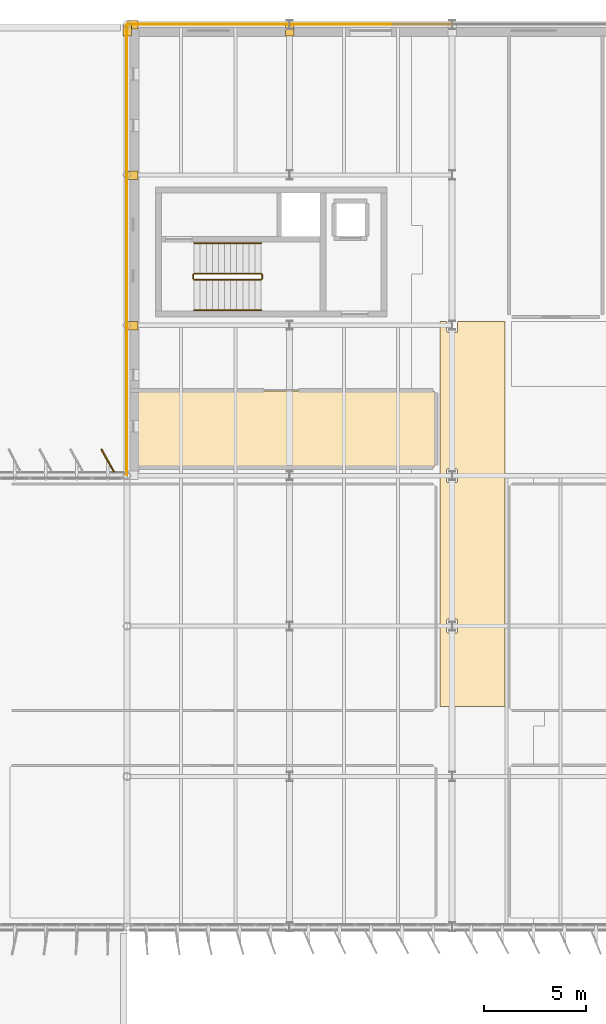
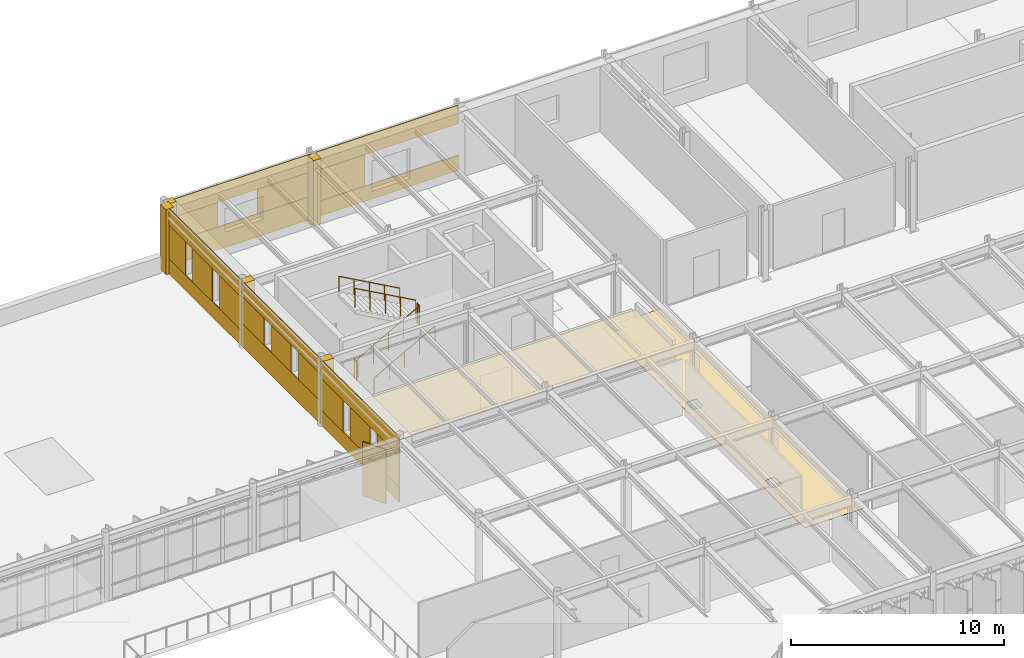
# One storey, part 52 of 56: 30 coverings, 6 railings.
"""IFC4 building model written with IfcOpenShell, lengths in metres."""

from ifc_helpers import new_model, si_unit, direction, frame, frame_2d, origin, origin_2d, place, context, subcontext, project, spatial, polyline, rectangle, circle, outline, extrude, material, layer, layer_set, type_object, element, save


model = new_model("IFC4")

# Units and contexts
model_context = context("Model", 3, precision=1e-05, world=origin(), true_north=direction((0.0, 1.0)))
body_context = subcontext(model_context, "Body", "Model", "MODEL_VIEW")
ifc_project = project(units=[si_unit("LENGTHUNIT", "METRE"), si_unit("AREAUNIT", "SQUARE_METRE"), si_unit("VOLUMEUNIT", "CUBIC_METRE"), si_unit("PLANEANGLEUNIT", "RADIAN"), si_unit("MASSUNIT", "GRAM", prefix="KILO")], contexts=[model_context])

# Site, building, storey
site_placement = place(None, origin())
site = spatial("IfcSite", under=ifc_project, at=site_placement, CompositionType="ELEMENT")
building_placement = place(site_placement, origin())
building = spatial("IfcBuilding", under=site, at=building_placement, Name="Valkorina Park Police Headquarters", CompositionType="ELEMENT")
storey_placement = place(building_placement, frame((0.0, 0.0, 14.10009765625)))
storey = spatial("IfcBuildingStorey", under=building, at=storey_placement, Name="L04", CompositionType="ELEMENT", Elevation=14.10009765625)

# Coverings
ifc_material_1 = material(Name="Acoustic mineral board")
ifc_layer_1 = layer(ifc_material_1, 0.02490234375)
ifc_layer_set_1 = layer_set([ifc_layer_1], Name="Acoustic mineral board")
covering_type_1 = type_object("IfcCoveringType", Name="COV-CEILING-ACOUST", PredefinedType="CEILING", material=ifc_layer_set_1)
covering_1_placement = place(storey_placement, frame((0.0, 0.0, 3.224853515625)))
element("IfcCovering", 1, at=covering_1_placement, inside=storey, type_object=covering_type_1, Name="112 Dispatch Raised-Floor Technical Plenum Acoustic Suspended Ceiling", PredefinedType="CEILING", context=body_context, shape_type="SweptSolid", body=[
    extrude(outline(polyline([(95.95849609375, 59.704345703125), (95.959716796875, 59.712158203125), (95.9599609375, 59.719970703125), (95.9599609375, 63.280029296875), (95.959716796875, 63.287841796875), (95.95849609375, 63.295654296875), (95.95654296875, 63.30322265625), (95.953857421875, 63.310546875), (95.95068359375, 63.317626953125), (95.946533203125, 63.324462890625), (95.94189453125, 63.330810546875), (95.9365234375, 63.336669921875), (95.930908203125, 63.341796875), (95.92431640625, 63.346435546875), (95.917724609375, 63.3505859375), (95.91064453125, 63.35400390625), (95.9033203125, 63.356689453125), (95.8955078125, 63.3583984375), (95.8876953125, 63.359619140625), (95.8798828125, 63.360107421875), (81.1201171875, 63.360107421875), (81.1123046875, 63.359619140625), (81.1044921875, 63.3583984375), (81.0966796875, 63.356689453125), (81.08935546875, 63.35400390625), (81.082275390625, 63.3505859375), (81.07568359375, 63.346435546875), (81.069091796875, 63.341796875), (81.0634765625, 63.336669921875), (81.05810546875, 63.330810546875), (81.053466796875, 63.324462890625), (81.04931640625, 63.317626953125), (81.046142578125, 63.310546875), (81.04345703125, 63.30322265625), (81.04150390625, 63.295654296875), (81.040283203125, 63.287841796875), (81.0400390625, 63.280029296875), (81.0400390625, 59.719970703125), (81.040283203125, 59.712158203125), (81.04150390625, 59.704345703125), (81.04345703125, 59.69677734375), (81.046142578125, 59.689453125), (81.04931640625, 59.682373046875), (81.053466796875, 59.675537109375), (81.05810546875, 59.669189453125), (81.0634765625, 59.663330078125), (81.069091796875, 59.658203125), (81.07568359375, 59.653564453125), (81.082275390625, 59.6494140625), (81.08935546875, 59.64599609375), (81.0966796875, 59.643310546875), (81.1044921875, 59.6416015625), (81.1123046875, 59.640380859375), (81.1201171875, 59.639892578125), (95.8798828125, 59.639892578125), (95.8876953125, 59.640380859375), (95.8955078125, 59.6416015625), (95.9033203125, 59.643310546875), (95.91064453125, 59.64599609375), (95.917724609375, 59.6494140625), (95.92431640625, 59.653564453125), (95.930908203125, 59.658203125), (95.9365234375, 59.663330078125), (95.94189453125, 59.669189453125), (95.946533203125, 59.675537109375), (95.95068359375, 59.682373046875), (95.953857421875, 59.689453125), (95.95654296875, 59.69677734375), (95.95849609375, 59.704345703125)])), origin(), (0.0, 0.0, 1.0), 0.025146484375),
])
ifc_material_2 = material(Name="Precast concrete C40/50", Category="concrete")
ifc_layer_2 = layer(ifc_material_2, 0.044921875)
ifc_layer_set_2 = layer_set([ifc_layer_2], Name="Precast concrete C40/50")
covering_type_2 = type_object("IfcCoveringType", Name="COV-CLAD-DOLOMITE", PredefinedType="CLADDING", material=ifc_layer_set_2)
covering_2_placement = place(storey_placement, frame((81.090087890625, 66.582275390625, 0.0), z_axis=(0.0, 0.0, 1.0), x_axis=(0.0, 1.0, 0.0)))
element("IfcCovering", 2, at=covering_2_placement, inside=storey, type_object=covering_type_2, Name="L04 Exterior Joint Closure Pilaster B 2228", PredefinedType="CLADDING", context=body_context, shape_type="SweptSolid", body=[
    extrude(rectangle(XDim=0.419921875, YDim=0.52197265625, at=origin_2d()), origin(), (0.0, 0.0, 1.0), 3.739990234375),
])
covering_3_placement = place(storey_placement, frame((80.784912109375, 59.219970703125, 0.0), z_axis=(0.0, 0.0, 1.0), x_axis=(0.0, 1.0, 0.0)))
element("IfcCovering", 3, at=covering_3_placement, inside=storey, type_object=covering_type_2, Name="L04 Calm Concrete Base Sill Spandrel 2229", PredefinedType="CLADDING", context=body_context, shape_type="SweptSolid", body=[
    extrude(rectangle(XDim=7.360107421875, YDim=0.044921875, at=frame_2d((3.68017578125, 0.0))), origin(), (0.0, 0.0, 1.0), 0.869873046875),
])
covering_4_placement = place(storey_placement, frame((80.784912109375, 59.219970703125, 2.679931640625), z_axis=(0.0, 0.0, 1.0), x_axis=(0.0, 1.0, 0.0)))
element("IfcCovering", 4, at=covering_4_placement, inside=storey, type_object=covering_type_2, Name="L04 Calm Concrete Base Lintel Spandrel 2230", PredefinedType="CLADDING", context=body_context, shape_type="SweptSolid", body=[
    extrude(rectangle(XDim=7.360107421875, YDim=0.044921875, at=frame_2d((3.68017578125, 0.0))), origin(), (0.0, 0.0, 1.0), 1.06005859375),
])
covering_5_placement = place(storey_placement, frame((80.784912109375, 59.219970703125, 0.869873046875), z_axis=(0.0, 0.0, 1.0), x_axis=(0.0, 1.0, 0.0)))
element("IfcCovering", 5, at=covering_5_placement, inside=storey, type_object=covering_type_2, Name="L04 Calm Concrete Base Slot Pier 2231", PredefinedType="CLADDING", context=body_context, shape_type="SweptSolid", body=[
    extrude(rectangle(XDim=2.090576171875, YDim=0.044921875, at=frame_2d((1.04541015625, 0.0))), origin(), (0.0, 0.0, 1.0), 1.81005859375),
])
covering_6_placement = place(storey_placement, frame((80.784912109375, 61.960693359375, 0.869873046875), z_axis=(0.0, 0.0, 1.0), x_axis=(0.0, 1.0, 0.0)))
element("IfcCovering", 6, at=covering_6_placement, inside=storey, type_object=covering_type_2, Name="L04 Calm Concrete Base Slot Pier 2232", PredefinedType="CLADDING", context=body_context, shape_type="SweptSolid", body=[
    extrude(rectangle(XDim=1.878662109375, YDim=0.044921875, at=frame_2d((0.939453125, 0.0))), origin(), (0.0, 0.0, 1.0), 1.81005859375),
])
covering_7_placement = place(storey_placement, frame((80.784912109375, 64.489501953125, 0.869873046875), z_axis=(0.0, 0.0, 1.0), x_axis=(0.0, 1.0, 0.0)))
element("IfcCovering", 7, at=covering_7_placement, inside=storey, type_object=covering_type_2, Name="L04 Calm Concrete Base Slot Pier 2233", PredefinedType="CLADDING", context=body_context, shape_type="SweptSolid", body=[
    extrude(rectangle(XDim=2.090576171875, YDim=0.044921875, at=frame_2d((1.04541015625, 0.0))), origin(), (0.0, 0.0, 1.0), 1.81005859375),
])
covering_8_placement = place(storey_placement, frame((81.090087890625, 73.982177734375, 0.0), z_axis=(0.0, 0.0, 1.0), x_axis=(0.0, 1.0, 0.0)))
element("IfcCovering", 8, at=covering_8_placement, inside=storey, type_object=covering_type_2, Name="L04 Exterior Joint Closure Pilaster B 2234", PredefinedType="CLADDING", context=body_context, shape_type="SweptSolid", body=[
    extrude(rectangle(XDim=0.419921875, YDim=0.52197265625, at=origin_2d()), origin(), (0.0, 0.0, 1.0), 3.739990234375),
])
covering_9_placement = place(storey_placement, frame((80.784912109375, 66.6201171875, 0.0), z_axis=(0.0, 0.0, 1.0), x_axis=(0.0, 1.0, 0.0)))
element("IfcCovering", 9, at=covering_9_placement, inside=storey, type_object=covering_type_2, Name="L04 Calm Concrete Base Sill Spandrel 2235", PredefinedType="CLADDING", context=body_context, shape_type="SweptSolid", body=[
    extrude(rectangle(XDim=7.35986328125, YDim=0.044921875, at=frame_2d((3.679931640625, 0.0))), origin(), (0.0, 0.0, 1.0), 1.31982421875),
])
covering_10_placement = place(storey_placement, frame((80.784912109375, 66.6201171875, 2.8798828125), z_axis=(0.0, 0.0, 1.0), x_axis=(0.0, 1.0, 0.0)))
element("IfcCovering", 10, at=covering_10_placement, inside=storey, type_object=covering_type_2, Name="L04 Calm Concrete Base Lintel Spandrel 2236", PredefinedType="CLADDING", context=body_context, shape_type="SweptSolid", body=[
    extrude(rectangle(XDim=7.35986328125, YDim=0.044921875, at=frame_2d((3.679931640625, 0.0))), origin(), (0.0, 0.0, 1.0), 0.860107421875),
])
covering_11_placement = place(storey_placement, frame((80.784912109375, 66.6201171875, 1.31982421875), z_axis=(0.0, 0.0, 1.0), x_axis=(0.0, 1.0, 0.0)))
element("IfcCovering", 11, at=covering_11_placement, inside=storey, type_object=covering_type_2, Name="L04 Calm Concrete Base Slot Pier 2237", PredefinedType="CLADDING", context=body_context, shape_type="SweptSolid", body=[
    extrude(rectangle(XDim=2.0654296875, YDim=0.044921875, at=frame_2d((1.03271484375, 0.0))), origin(), (0.0, 0.0, 1.0), 1.56005859375),
])
covering_12_placement = place(storey_placement, frame((80.784912109375, 69.385498046875, 1.31982421875), z_axis=(0.0, 0.0, 1.0), x_axis=(0.0, 1.0, 0.0)))
element("IfcCovering", 12, at=covering_12_placement, inside=storey, type_object=covering_type_2, Name="L04 Calm Concrete Base Slot Pier 2238", PredefinedType="CLADDING", context=body_context, shape_type="SweptSolid", body=[
    extrude(rectangle(XDim=1.828857421875, YDim=0.044921875, at=frame_2d((0.91455078125, 0.0))), origin(), (0.0, 0.0, 1.0), 1.56005859375),
])
covering_13_placement = place(storey_placement, frame((80.784912109375, 71.914306640625, 1.31982421875), z_axis=(0.0, 0.0, 1.0), x_axis=(0.0, 1.0, 0.0)))
element("IfcCovering", 13, at=covering_13_placement, inside=storey, type_object=covering_type_2, Name="L04 Calm Concrete Base Slot Pier 2239", PredefinedType="CLADDING", context=body_context, shape_type="SweptSolid", body=[
    extrude(rectangle(XDim=2.065673828125, YDim=0.044921875, at=frame_2d((1.03271484375, 0.0))), origin(), (0.0, 0.0, 1.0), 1.56005859375),
])
covering_14_placement = place(storey_placement, frame((81.090087890625, 81.382080078125, 0.0), z_axis=(0.0, 0.0, 1.0), x_axis=(0.0, 1.0, 0.0)))
element("IfcCovering", 14, at=covering_14_placement, inside=storey, type_object=covering_type_2, Name="L04 Exterior Joint Closure Pilaster B 2240", PredefinedType="CLADDING", context=body_context, shape_type="SweptSolid", body=[
    extrude(rectangle(XDim=0.419921875, YDim=0.52197265625, at=origin_2d()), origin(), (0.0, 0.0, 1.0), 3.739990234375),
])
covering_15_placement = place(storey_placement, frame((80.784912109375, 74.02001953125, 0.0), z_axis=(0.0, 0.0, 1.0), x_axis=(0.0, 1.0, 0.0)))
element("IfcCovering", 15, at=covering_15_placement, inside=storey, type_object=covering_type_2, Name="L04 Calm Concrete Base Sill Spandrel 2241", PredefinedType="CLADDING", context=body_context, shape_type="SweptSolid", body=[
    extrude(rectangle(XDim=7.35986328125, YDim=0.044921875, at=frame_2d((3.679931640625, 0.0))), origin(), (0.0, 0.0, 1.0), 0.869873046875),
])
covering_16_placement = place(storey_placement, frame((80.784912109375, 74.02001953125, 2.77978515625), z_axis=(0.0, 0.0, 1.0), x_axis=(0.0, 1.0, 0.0)))
element("IfcCovering", 16, at=covering_16_placement, inside=storey, type_object=covering_type_2, Name="L04 Calm Concrete Base Lintel Spandrel 2242", PredefinedType="CLADDING", context=body_context, shape_type="SweptSolid", body=[
    extrude(rectangle(XDim=7.35986328125, YDim=0.044921875, at=frame_2d((3.679931640625, 0.0))), origin(), (0.0, 0.0, 1.0), 0.960205078125),
])
covering_17_placement = place(storey_placement, frame((80.784912109375, 74.02001953125, 0.869873046875), z_axis=(0.0, 0.0, 1.0), x_axis=(0.0, 1.0, 0.0)))
element("IfcCovering", 17, at=covering_17_placement, inside=storey, type_object=covering_type_2, Name="L04 Calm Concrete Base Slot Pier 2243", PredefinedType="CLADDING", context=body_context, shape_type="SweptSolid", body=[
    extrude(rectangle(XDim=2.065673828125, YDim=0.044921875, at=frame_2d((1.03271484375, 0.0))), origin(), (0.0, 0.0, 1.0), 1.909912109375),
])
covering_18_placement = place(storey_placement, frame((80.784912109375, 76.78564453125, 0.869873046875), z_axis=(0.0, 0.0, 1.0), x_axis=(0.0, 1.0, 0.0)))
element("IfcCovering", 18, at=covering_18_placement, inside=storey, type_object=covering_type_2, Name="L04 Calm Concrete Base Slot Pier 2244", PredefinedType="CLADDING", context=body_context, shape_type="SweptSolid", body=[
    extrude(rectangle(XDim=1.828857421875, YDim=0.044921875, at=frame_2d((0.91455078125, 0.0))), origin(), (0.0, 0.0, 1.0), 1.909912109375),
])
covering_19_placement = place(storey_placement, frame((80.784912109375, 79.314453125, 0.869873046875), z_axis=(0.0, 0.0, 1.0), x_axis=(0.0, 1.0, 0.0)))
element("IfcCovering", 19, at=covering_19_placement, inside=storey, type_object=covering_type_2, Name="L04 Calm Concrete Base Slot Pier 2245", PredefinedType="CLADDING", context=body_context, shape_type="SweptSolid", body=[
    extrude(rectangle(XDim=2.0654296875, YDim=0.044921875, at=frame_2d((1.03271484375, 0.0))), origin(), (0.0, 0.0, 1.0), 1.909912109375),
])
for number, where, z_axis, x_axis, name in (
    (20, (80.81787109375, 81.110107421875, 0.0), (0.0, 0.0, 1.0), (1.0, 0.0, 0.0), "L04 Exterior Joint Closure Pilaster A 2246"),
    (21, (88.81005859375, 81.110107421875, 0.0), (0.0, 0.0, 1.0), (1.0, 0.0, 0.0), "L04 Exterior Joint Closure Pilaster B 2247"),
):
    element("IfcCovering", number, at=place(storey_placement, frame(where, z_axis=z_axis, x_axis=x_axis)), inside=storey, type_object=covering_type_2, Name=name, PredefinedType="CLADDING", context=body_context, shape_type="SweptSolid", body=[
        extrude(rectangle(XDim=0.419921875, YDim=0.52197265625, at=origin_2d()), origin(), (0.0, 0.0, 1.0), 3.739990234375),
    ])
covering_20_placement = place(storey_placement, frame((80.820068359375, 81.4150390625, 0.0), z_axis=(0.0, 0.0, 1.0), x_axis=(1.0, 0.0, 0.0)))
element("IfcCovering", 22, at=covering_20_placement, inside=storey, type_object=covering_type_2, Name="L04 Calm Concrete Base Sill Spandrel 2248", PredefinedType="CLADDING", context=body_context, shape_type="SweptSolid", body=[
    extrude(rectangle(XDim=7.9599609375, YDim=0.044921875, at=frame_2d((3.97998046875, 0.0))), origin(), (0.0, 0.0, 1.0), 1.31982421875),
])
covering_21_placement = place(storey_placement, frame((80.820068359375, 81.4150390625, 2.72998046875), z_axis=(0.0, 0.0, 1.0), x_axis=(1.0, 0.0, 0.0)))
element("IfcCovering", 23, at=covering_21_placement, inside=storey, type_object=covering_type_2, Name="L04 Calm Concrete Base Lintel Spandrel 2249", PredefinedType="CLADDING", context=body_context, shape_type="SweptSolid", body=[
    extrude(rectangle(XDim=7.9599609375, YDim=0.044921875, at=frame_2d((3.97998046875, 0.0))), origin(), (0.0, 0.0, 1.0), 1.010009765625),
])
covering_22_placement = place(storey_placement, frame((80.820068359375, 81.4150390625, 1.31982421875), z_axis=(0.0, 0.0, 1.0), x_axis=(1.0, 0.0, 0.0)))
element("IfcCovering", 24, at=covering_22_placement, inside=storey, type_object=covering_type_2, Name="L04 Calm Concrete Base Slot Pier 2250", PredefinedType="CLADDING", context=body_context, shape_type="SweptSolid", body=[
    extrude(rectangle(XDim=2.9189453125, YDim=0.044921875, at=frame_2d((1.45947265625, 0.0))), origin(), (0.0, 0.0, 1.0), 1.41015625),
])
covering_23_placement = place(storey_placement, frame((85.888916015625, 81.4150390625, 1.31982421875), z_axis=(0.0, 0.0, 1.0), x_axis=(1.0, 0.0, 0.0)))
element("IfcCovering", 25, at=covering_23_placement, inside=storey, type_object=covering_type_2, Name="L04 Calm Concrete Base Slot Pier 2251", PredefinedType="CLADDING", context=body_context, shape_type="SweptSolid", body=[
    extrude(rectangle(XDim=2.89111328125, YDim=0.044921875, at=frame_2d((1.445556640625, 0.0))), origin(), (0.0, 0.0, 1.0), 1.41015625),
])
covering_24_placement = place(storey_placement, frame((88.820068359375, 81.4150390625, 0.0), z_axis=(0.0, 0.0, 1.0), x_axis=(1.0, 0.0, 0.0)))
element("IfcCovering", 26, at=covering_24_placement, inside=storey, type_object=covering_type_2, Name="L04 Calm Concrete Base Sill Spandrel 2253", PredefinedType="CLADDING", context=body_context, shape_type="SweptSolid", body=[
    extrude(rectangle(XDim=7.9599609375, YDim=0.044921875, at=frame_2d((3.97998046875, 0.0))), origin(), (0.0, 0.0, 1.0), 0.869873046875),
])
covering_25_placement = place(storey_placement, frame((88.820068359375, 81.4150390625, 2.679931640625), z_axis=(0.0, 0.0, 1.0), x_axis=(1.0, 0.0, 0.0)))
element("IfcCovering", 27, at=covering_25_placement, inside=storey, type_object=covering_type_2, Name="L04 Calm Concrete Base Lintel Spandrel 2254", PredefinedType="CLADDING", context=body_context, shape_type="SweptSolid", body=[
    extrude(rectangle(XDim=7.9599609375, YDim=0.044921875, at=frame_2d((3.97998046875, 0.0))), origin(), (0.0, 0.0, 1.0), 1.06005859375),
])
covering_26_placement = place(storey_placement, frame((88.820068359375, 81.4150390625, 0.869873046875), z_axis=(0.0, 0.0, 1.0), x_axis=(1.0, 0.0, 0.0)))
element("IfcCovering", 28, at=covering_26_placement, inside=storey, type_object=covering_type_2, Name="L04 Calm Concrete Base Slot Pier 2255", PredefinedType="CLADDING", context=body_context, shape_type="SweptSolid", body=[
    extrude(rectangle(XDim=2.905029296875, YDim=0.044921875, at=frame_2d((1.45263671875, 0.0))), origin(), (0.0, 0.0, 1.0), 1.81005859375),
])
ifc_material_3 = material(Name="Resin terrazzo flooring")
ifc_layer_3 = layer(ifc_material_3, 0.030029296875)
ifc_layer_set_3 = layer_set([ifc_layer_3], Name="Resin terrazzo flooring")
covering_type_3 = type_object("IfcCoveringType", Name="COV-FLOOR-TERRAZZO", PredefinedType="FLOORING", material=ifc_layer_set_3)
covering_27_placement = place(storey_placement, origin())
element("IfcCovering", 29, at=covering_27_placement, inside=storey, type_object=covering_type_3, Name="L04 East Instrument Link Corridor Terrazzo Flooring", PredefinedType="FLOORING", context=body_context, shape_type="SweptSolid", body=[
    extrude(outline(polyline([(96.530029296875, 66.800048828125), (96.199951171875, 66.800048828125), (96.199951171875, 47.85009765625), (99.39990234375, 47.85009765625), (99.39990234375, 66.800048828125), (97.070068359375, 66.800048828125), (97.070068359375, 66.3349609375), (97.069580078125, 66.3271484375), (97.068603515625, 66.3193359375), (97.066650390625, 66.311767578125), (97.06396484375, 66.304443359375), (97.060546875, 66.29736328125), (97.056396484375, 66.29052734375), (97.0517578125, 66.2841796875), (97.046630859375, 66.2783203125), (97.040771484375, 66.273193359375), (97.034423828125, 66.2685546875), (97.027587890625, 66.264404296875), (97.0205078125, 66.260986328125), (97.01318359375, 66.25830078125), (97.005615234375, 66.256591796875), (96.997802734375, 66.25537109375), (96.989990234375, 66.2548828125), (96.610107421875, 66.2548828125), (96.602294921875, 66.25537109375), (96.594482421875, 66.256591796875), (96.5869140625, 66.25830078125), (96.579345703125, 66.260986328125), (96.572265625, 66.264404296875), (96.565673828125, 66.2685546875), (96.55908203125, 66.273193359375), (96.553466796875, 66.2783203125), (96.548095703125, 66.2841796875), (96.54345703125, 66.29052734375), (96.539306640625, 66.29736328125), (96.5361328125, 66.304443359375), (96.533447265625, 66.311767578125), (96.531494140625, 66.3193359375), (96.530517578125, 66.3271484375), (96.530029296875, 66.3349609375), (96.530029296875, 66.800048828125)]), holes=[polyline([(96.530029296875, 59.465087890625), (96.530517578125, 59.472900390625), (96.531494140625, 59.480712890625), (96.533447265625, 59.48828125), (96.5361328125, 59.49560546875), (96.539306640625, 59.502685546875), (96.54345703125, 59.509521484375), (96.548095703125, 59.515869140625), (96.553466796875, 59.521484375), (96.55908203125, 59.52685546875), (96.565673828125, 59.531494140625), (96.572265625, 59.53564453125), (96.579345703125, 59.538818359375), (96.5869140625, 59.54150390625), (96.594482421875, 59.54345703125), (96.602294921875, 59.544677734375), (96.610107421875, 59.544921875), (96.989990234375, 59.544921875), (96.997802734375, 59.544677734375), (97.005615234375, 59.54345703125), (97.01318359375, 59.54150390625), (97.0205078125, 59.538818359375), (97.027587890625, 59.53564453125), (97.034423828125, 59.531494140625), (97.040771484375, 59.52685546875), (97.046630859375, 59.521484375), (97.0517578125, 59.515869140625), (97.056396484375, 59.509521484375), (97.060546875, 59.502685546875), (97.06396484375, 59.49560546875), (97.066650390625, 59.48828125), (97.068603515625, 59.480712890625), (97.069580078125, 59.472900390625), (97.070068359375, 59.465087890625), (97.070068359375, 58.93505859375), (97.069580078125, 58.92724609375), (97.068603515625, 58.91943359375), (97.066650390625, 58.911865234375), (97.06396484375, 58.904296875), (97.060546875, 58.897216796875), (97.056396484375, 58.890625), (97.0517578125, 58.88427734375), (97.046630859375, 58.87841796875), (97.040771484375, 58.873291015625), (97.034423828125, 58.868408203125), (97.027587890625, 58.864501953125), (97.0205078125, 58.861083984375), (97.01318359375, 58.8583984375), (97.005615234375, 58.8564453125), (96.997802734375, 58.85546875), (96.989990234375, 58.85498046875), (96.610107421875, 58.85498046875), (96.602294921875, 58.85546875), (96.594482421875, 58.8564453125), (96.5869140625, 58.8583984375), (96.579345703125, 58.861083984375), (96.572265625, 58.864501953125), (96.565673828125, 58.868408203125), (96.55908203125, 58.873291015625), (96.553466796875, 58.87841796875), (96.548095703125, 58.88427734375), (96.54345703125, 58.890625), (96.539306640625, 58.897216796875), (96.5361328125, 58.904296875), (96.533447265625, 58.911865234375), (96.531494140625, 58.91943359375), (96.530517578125, 58.92724609375), (96.530029296875, 58.93505859375), (96.530029296875, 59.465087890625)]), polyline([(96.989990234375, 52.14501953125), (96.997802734375, 52.14453125), (97.005615234375, 52.1435546875), (97.01318359375, 52.1416015625), (97.0205078125, 52.138916015625), (97.027587890625, 52.135498046875), (97.034423828125, 52.131591796875), (97.040771484375, 52.126708984375), (97.046630859375, 52.12158203125), (97.0517578125, 52.11572265625), (97.056396484375, 52.109375), (97.060546875, 52.102783203125), (97.06396484375, 52.095703125), (97.066650390625, 52.088134765625), (97.068603515625, 52.08056640625), (97.069580078125, 52.07275390625), (97.070068359375, 52.06494140625), (97.070068359375, 51.534912109375), (97.069580078125, 51.527099609375), (97.068603515625, 51.519287109375), (97.066650390625, 51.51171875), (97.06396484375, 51.50439453125), (97.060546875, 51.497314453125), (97.056396484375, 51.490478515625), (97.0517578125, 51.484130859375), (97.046630859375, 51.478515625), (97.040771484375, 51.47314453125), (97.034423828125, 51.468505859375), (97.027587890625, 51.46435546875), (97.0205078125, 51.461181640625), (97.01318359375, 51.45849609375), (97.005615234375, 51.45654296875), (96.997802734375, 51.455322265625), (96.989990234375, 51.455078125), (96.610107421875, 51.455078125), (96.602294921875, 51.455322265625), (96.594482421875, 51.45654296875), (96.5869140625, 51.45849609375), (96.579345703125, 51.461181640625), (96.572265625, 51.46435546875), (96.565673828125, 51.468505859375), (96.55908203125, 51.47314453125), (96.553466796875, 51.478515625), (96.548095703125, 51.484130859375), (96.54345703125, 51.490478515625), (96.539306640625, 51.497314453125), (96.5361328125, 51.50439453125), (96.533447265625, 51.51171875), (96.531494140625, 51.519287109375), (96.530517578125, 51.527099609375), (96.530029296875, 51.534912109375), (96.530029296875, 52.06494140625), (96.530517578125, 52.07275390625), (96.531494140625, 52.08056640625), (96.533447265625, 52.088134765625), (96.5361328125, 52.095703125), (96.539306640625, 52.102783203125), (96.54345703125, 52.109375), (96.548095703125, 52.11572265625), (96.553466796875, 52.12158203125), (96.55908203125, 52.126708984375), (96.565673828125, 52.131591796875), (96.572265625, 52.135498046875), (96.579345703125, 52.138916015625), (96.5869140625, 52.1416015625), (96.594482421875, 52.1435546875), (96.602294921875, 52.14453125), (96.610107421875, 52.14501953125), (96.989990234375, 52.14501953125)])]), origin(), (0.0, 0.0, 1.0), 0.02978515625),
])

# Railings
ifc_material_4 = material(Name="Stainless steel EN 1.4404", Category="steel")
railing_type_1 = type_object("IfcRailingType", Name="RL-GUARD-INT-1100", PredefinedType="BALUSTRADE", material=ifc_material_4)
railing_1_placement = place(storey_placement, frame((84.10009765625, 68.85009765625, 0.16650390625)))
element("IfcRailing", 30, at=railing_1_placement, inside=storey, type_object=railing_type_1, Name="L04 Core C6 Stair Guard 1", PredefinedType="BALUSTRADE", context=body_context, shape_type="SweptSolid", body=[
    extrude(circle(Radius=0.02392578125, at=origin_2d()), frame((0.0, 0.0, 1.09619140625), z_axis=(0.874126768038, 0.0, 0.485697841667), x_axis=(0.0, 1.0, 0.0)), (0.0, 0.0, 1.0), 3.77490234375),
    extrude(circle(Radius=0.02099609375, at=origin_2d()), origin(), (0.0, 0.0, 1.0), 1.072021484375),
    extrude(circle(Radius=0.02099609375, at=origin_2d()), frame((0.824951171875, 0.0, 0.45849609375)), (0.0, 0.0, 1.0), 1.072021484375),
    extrude(circle(Radius=0.02099609375, at=origin_2d()), frame((1.64990234375, 0.0, 0.916748046875)), (0.0, 0.0, 1.0), 1.072021484375),
    extrude(circle(Radius=0.02099609375, at=origin_2d()), frame((2.474853515625, 0.0, 1.375)), (0.0, 0.0, 1.0), 1.072021484375),
    extrude(circle(Radius=0.02099609375, at=origin_2d()), frame((3.2998046875, 0.0, 1.83349609375)), (0.0, 0.0, 1.0), 1.072021484375),
])
railing_2_placement = place(storey_placement, frame((87.449951171875, 68.89990234375, 2.0)))
element("IfcRailing", 31, at=railing_2_placement, inside=storey, type_object=railing_type_1, Name="L04 Core C6 Stair Guard 2", PredefinedType="BALUSTRADE", context=body_context, shape_type="SweptSolid", body=[
    extrude(circle(Radius=0.02392578125, at=origin_2d()), frame((0.0, 0.0, 1.09619140625), z_axis=(0.0, 1.0, 0.0), x_axis=(-1.0, 0.0, 0.0)), (0.0, 0.0, 1.0), 0.2001953125),
    extrude(circle(Radius=0.02099609375, at=origin_2d()), origin(), (0.0, 0.0, 1.0), 1.072021484375),
    extrude(circle(Radius=0.02099609375, at=origin_2d()), frame((0.0, 0.2001953125, 0.0)), (0.0, 0.0, 1.0), 1.072021484375),
])
railing_3_placement = place(storey_placement, frame((87.39990234375, 69.14990234375, 2.16650390625)))
element("IfcRailing", 32, at=railing_3_placement, inside=storey, type_object=railing_type_1, Name="L04 Core C6 Stair Guard 3", PredefinedType="BALUSTRADE", context=body_context, shape_type="SweptSolid", body=[
    extrude(circle(Radius=0.02392578125, at=origin_2d()), frame((0.0, 0.0, 1.09619140625), z_axis=(-0.874126768038, 0.0, 0.485697841667), x_axis=(0.0, -1.0, 0.0)), (0.0, 0.0, 1.0), 3.77490234375),
    extrude(circle(Radius=0.02099609375, at=origin_2d()), origin(), (0.0, 0.0, 1.0), 1.072021484375),
    extrude(circle(Radius=0.02099609375, at=origin_2d()), frame((-0.824951171875, 0.0, 0.45849609375)), (0.0, 0.0, 1.0), 1.072021484375),
    extrude(circle(Radius=0.02099609375, at=origin_2d()), frame((-1.64990234375, 0.0, 0.916748046875)), (0.0, 0.0, 1.0), 1.072021484375),
    extrude(circle(Radius=0.02099609375, at=origin_2d()), frame((-2.474853515625, 0.0, 1.375)), (0.0, 0.0, 1.0), 1.072021484375),
    extrude(circle(Radius=0.02099609375, at=origin_2d()), frame((-3.2998046875, 0.0, 1.83349609375)), (0.0, 0.0, 1.0), 1.072021484375),
])
railing_4_placement = place(storey_placement, frame((84.050048828125, 68.89990234375, 0.0)))
element("IfcRailing", 33, at=railing_4_placement, inside=storey, type_object=railing_type_1, Name="L04 Core C6 Stair Guard 4", PredefinedType="BALUSTRADE", context=body_context, shape_type="SweptSolid", body=[
    extrude(circle(Radius=0.02392578125, at=origin_2d()), frame((0.0, 0.0, 1.09619140625), z_axis=(0.0, 1.0, 0.0), x_axis=(-1.0, 0.0, 0.0)), (0.0, 0.0, 1.0), 0.2001953125),
    extrude(circle(Radius=0.02099609375, at=origin_2d()), origin(), (0.0, 0.0, 1.0), 1.072021484375),
    extrude(circle(Radius=0.02099609375, at=origin_2d()), frame((0.0, 0.2001953125, 0.0)), (0.0, 0.0, 1.0), 1.072021484375),
])
railing_type_2 = type_object("IfcRailingType", Name="RL-HANDRAIL-900", PredefinedType="HANDRAIL", material=ifc_material_4)
railing_5_placement = place(storey_placement, frame((84.10009765625, 67.35009765625, 0.16650390625)))
element("IfcRailing", 34, at=railing_5_placement, inside=storey, type_object=railing_type_2, Name="L04 Core C6 Stair Handrail 1", PredefinedType="HANDRAIL", context=body_context, shape_type="SweptSolid", body=[
    extrude(circle(Radius=0.02392578125, at=origin_2d()), frame((0.0, 0.0, 0.8759765625), z_axis=(0.874126768038, 0.0, 0.485697841667), x_axis=(0.0, 1.0, 0.0)), (0.0, 0.0, 1.0), 3.77490234375),
    extrude(circle(Radius=0.02099609375, at=origin_2d()), origin(), (0.0, 0.0, 1.0), 0.851806640625),
    extrude(circle(Radius=0.02099609375, at=origin_2d()), frame((0.824951171875, 0.0, 0.45849609375)), (0.0, 0.0, 1.0), 0.851806640625),
    extrude(circle(Radius=0.02099609375, at=origin_2d()), frame((1.64990234375, 0.0, 0.916748046875)), (0.0, 0.0, 1.0), 0.851806640625),
    extrude(circle(Radius=0.02099609375, at=origin_2d()), frame((2.474853515625, 0.0, 1.375)), (0.0, 0.0, 1.0), 0.851806640625),
    extrude(circle(Radius=0.02099609375, at=origin_2d()), frame((3.2998046875, 0.0, 1.83349609375)), (0.0, 0.0, 1.0), 0.851806640625),
])
railing_6_placement = place(storey_placement, frame((87.39990234375, 70.64990234375, 2.16650390625)))
element("IfcRailing", 35, at=railing_6_placement, inside=storey, type_object=railing_type_2, Name="L04 Core C6 Stair Handrail 2", PredefinedType="HANDRAIL", context=body_context, shape_type="SweptSolid", body=[
    extrude(circle(Radius=0.02392578125, at=origin_2d()), frame((0.0, 0.0, 0.8759765625), z_axis=(-0.874126768038, 0.0, 0.485697841667), x_axis=(0.0, -1.0, 0.0)), (0.0, 0.0, 1.0), 3.77490234375),
    extrude(circle(Radius=0.02099609375, at=origin_2d()), origin(), (0.0, 0.0, 1.0), 0.851806640625),
    extrude(circle(Radius=0.02099609375, at=origin_2d()), frame((-0.824951171875, 0.0, 0.45849609375)), (0.0, 0.0, 1.0), 0.851806640625),
    extrude(circle(Radius=0.02099609375, at=origin_2d()), frame((-1.64990234375, 0.0, 0.916748046875)), (0.0, 0.0, 1.0), 0.851806640625),
    extrude(circle(Radius=0.02099609375, at=origin_2d()), frame((-2.474853515625, 0.0, 1.375)), (0.0, 0.0, 1.0), 0.851806640625),
    extrude(circle(Radius=0.02099609375, at=origin_2d()), frame((-3.2998046875, 0.0, 1.83349609375)), (0.0, 0.0, 1.0), 0.851806640625),
])

# Covering
ifc_material_5 = material(Name="Polychrome anodized aluminium - Courland Slate Blue", Category="masonry")
ifc_layer_4 = layer(ifc_material_5, 0.06494140625)
ifc_layer_set_4 = layer_set([ifc_layer_4], Name="Polychrome anodized aluminium - Courland Slate Blue")
covering_type_4 = type_object("IfcCoveringType", Name="SHD-LOUVRE-SLATE", PredefinedType="CLADDING", material=ifc_layer_set_4)
covering_28_placement = place(storey_placement, frame((79.849853515625, 59.93994140625, 0.039794921875), z_axis=(0.0, 0.0, 1.0), x_axis=(-0.48312957851, 0.875548862354, 0.0)))
element("IfcCovering", 36, at=covering_28_placement, inside=storey, type_object=covering_type_4, Name="V5 Polychrome Pivoting Louvre 0051", PredefinedType="CLADDING", context=body_context, shape_type="SweptSolid", body=[
    extrude(rectangle(XDim=1.280029296875, YDim=0.06494140625, at=origin_2d()), origin(), (0.0, 0.0, 1.0), 3.1201171875),
])

save(model, "model.ifc")
